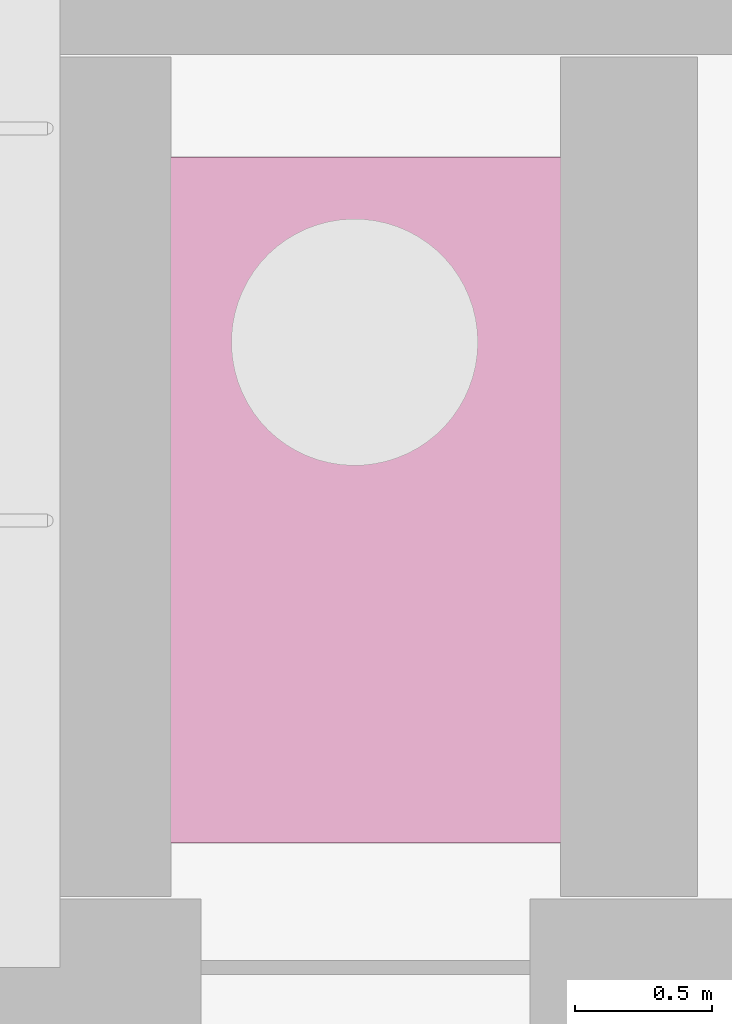
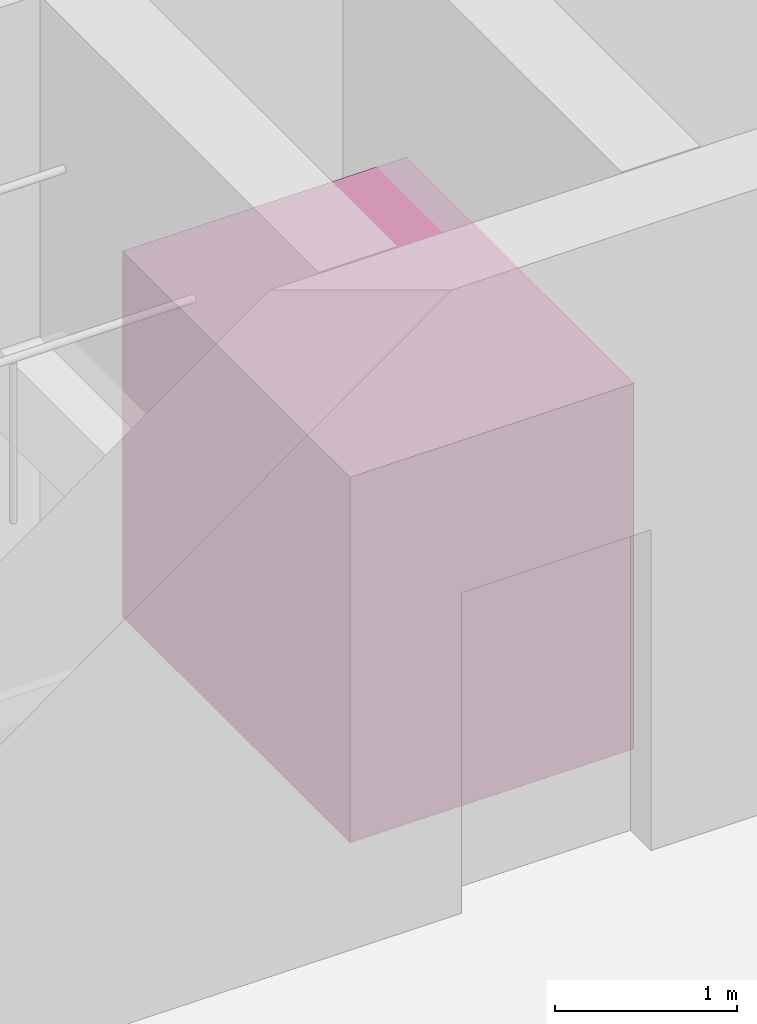
# One storey, part 33 of 33: 1 transport element.
"""IFC4 building model written with IfcOpenShell, lengths in metres."""

import ifcopenshell
import ifcopenshell.guid

model = None  # the IFC model being written
_history = None  # IfcOwnerHistory: only IFC2X3 demands one
_inside = {}  # id of a spatial element -> (the spatial element, [elements in it])
_under = {}  # id of a project, library or spatial element -> (it, [spatial elements below it])
_declared = {}  # id of a project -> (the project, [libraries it declares])
_typed = {}  # id of a type object -> (the type object, [elements of that type])
_made_of = {}  # id of a material, layer set ... -> (it, [elements and type objects made of it])


def new_model(schema):
    """Start an empty IFC model of exactly this schema.

    Asked for "IFC4X3", IfcOpenShell would pick the latest addendum, in which some entities
    have other attributes; the version numbers below select the first issue.
    IFC2X3 requires an IfcOwnerHistory on every rooted entity: one is made here for all.
    """
    global model, _history
    if schema == "IFC4X3":
        model = ifcopenshell.file(schema_version=(4, 3, 0, 0))
    else:
        model = ifcopenshell.file(schema=schema)
    _inside.clear()
    _under.clear()
    _declared.clear()
    _typed.clear()
    _made_of.clear()
    _history = None
    if model.schema == "IFC2X3":
        org = make("IfcOrganization", Name="unknown")
        user = make(
            "IfcPersonAndOrganization",
            ThePerson=make("IfcPerson", FamilyName="unknown"),
            TheOrganization=org,
        )
        app = make(
            "IfcApplication",
            ApplicationDeveloper=org,
            Version="unknown",
            ApplicationFullName="unknown",
            ApplicationIdentifier="unknown",
        )
        _history = make(
            "IfcOwnerHistory",
            OwningUser=user,
            OwningApplication=app,
            ChangeAction="ADDED",
            CreationDate=0,
        )
    return model


def make(cls, **values):
    """One entity of the class cls with the attributes given. An attribute that is None is left unset."""
    return model.create_entity(
        cls, **{name: value for name, value in values.items() if value is not None}
    )


def rooted(cls, **values):
    """An entity with a GlobalId (a new one), such as an element, a storey or a relation."""
    return make(cls, GlobalId=ifcopenshell.guid.new(), OwnerHistory=_history, **values)


def si_unit(unit_type, name, prefix=None):
    """IfcSIUnit, for example si_unit("LENGTHUNIT", "METRE", prefix="MILLI")."""
    return make("IfcSIUnit", UnitType=unit_type, Prefix=prefix, Name=name)


def assignment(units):
    """IfcUnitAssignment: the units of a project."""
    return None if units is None else make("IfcUnitAssignment", Units=units)


def point(xyz):
    """IfcCartesianPoint."""
    return None if xyz is None else make("IfcCartesianPoint", Coordinates=xyz)


def direction(xyz):
    """IfcDirection."""
    return None if xyz is None else make("IfcDirection", DirectionRatios=xyz)


def frame(location, z_axis=None, x_axis=None):
    """IfcAxis2Placement3D, a coordinate frame: its origin and axes. An axis left out is left unset."""
    return make(
        "IfcAxis2Placement3D",
        Location=point(location),
        Axis=direction(z_axis),
        RefDirection=direction(x_axis),
    )


def frame_2d(location, x_axis=None):
    """IfcAxis2Placement2D, a coordinate frame in the plane: its origin and x axis."""
    return make(
        "IfcAxis2Placement2D", Location=point(location), RefDirection=direction(x_axis)
    )


def origin():
    """The frame at (0, 0, 0) with its axes left unset."""
    return frame((0.0, 0.0, 0.0))


def origin_2d():
    """The frame at (0, 0) in the plane with its x axis left unset."""
    return frame_2d((0.0, 0.0))


def place(relative_to, where):
    """IfcLocalPlacement: puts the frame where relative to a parent placement (None: the world)."""
    return make(
        "IfcLocalPlacement", PlacementRelTo=relative_to, RelativePlacement=where
    )


def context(
    kind, dimensions, precision=None, world=None, true_north=None, identifier=None
):
    """IfcGeometricRepresentationContext, for example the 3D "Model" context."""
    return make(
        "IfcGeometricRepresentationContext",
        ContextIdentifier=identifier,
        ContextType=kind,
        CoordinateSpaceDimension=dimensions,
        Precision=precision,
        WorldCoordinateSystem=world,
        TrueNorth=true_north,
    )


def subcontext(parent, identifier, kind, view, scale=None):
    """IfcGeometricRepresentationSubContext, for example "Body" below "Model"."""
    return make(
        "IfcGeometricRepresentationSubContext",
        ContextIdentifier=identifier,
        ContextType=kind,
        ParentContext=parent,
        TargetScale=scale,
        TargetView=view,
    )


def project(units=None, contexts=None):
    """IfcProject with its units and contexts."""
    return rooted(
        "IfcProject",
        Name="project",
        RepresentationContexts=contexts,
        UnitsInContext=assignment(units),
    )


def spatial(cls, under=None, at=None, **own):
    """A site, building, storey or space (cls), placed at a placement, below another one or the project."""
    s = rooted(cls, ObjectPlacement=at, **own)
    if under is not None:
        _under.setdefault(under.id(), (under, []))[1].append(s)
    return s


def profile(cls, at=None, kind="AREA", **sizes):
    """A parametric profile (cls). Its sizes go by their IFC names, for example OverallWidth=200.0."""
    return make(cls, ProfileType=kind, Position=at, **sizes)


def rectangle(**sizes):
    """IfcRectangleProfileDef."""
    return profile("IfcRectangleProfileDef", **sizes)


def extrude(swept, where, along, depth):
    """IfcExtrudedAreaSolid: the profile swept, set in the frame where, extruded along a direction by depth."""
    return make(
        "IfcExtrudedAreaSolid",
        SweptArea=swept,
        Position=where,
        ExtrudedDirection=direction(along),
        Depth=depth,
    )


def shape(context_of_items, identifier, shape_type, items):
    """IfcShapeRepresentation: the items that make up one representation, for example the "Body"."""
    return make(
        "IfcShapeRepresentation",
        ContextOfItems=context_of_items,
        RepresentationIdentifier=identifier,
        RepresentationType=shape_type,
        Items=items,
    )


def material(Name=None, Category=None):
    """IfcMaterial."""
    return make("IfcMaterial", Name=Name, Category=Category)


def made_of(thing, what):
    """Note that an element or type object is made of a material, layer set ...; save() writes the relation."""
    if what is not None:
        _made_of.setdefault(what.id(), (what, []))[1].append(thing)
    return thing


def type_object(cls, material=None, **own):
    """A type object (cls), such as IfcWallType, which elements share."""
    return made_of(rooted(cls, **own), material)


def element(
    cls,
    number,
    at=None,
    inside=None,
    cuts=None,
    type_object=None,
    material=None,
    context=None,
    identifier="Body",
    shape_type=None,
    held_by="IfcProductDefinitionShape",
    body=None,
    shapes=None,
    **own,
):
    """One element of the class cls, such as IfcWall. Its Tag is "e" and its number.

    at: its placement. inside: the storey or other place that contains it. cuts: it is an
    opening in that element (IfcRelVoidsElement). A single representation is given by context,
    identifier, shape_type and body (its items); several are given by shapes. held_by: the class
    of the entity that holds the representations. save() writes the other relations.
    """
    e = rooted(cls, Tag="e%d" % number, ObjectPlacement=at, **own)
    if body is not None:
        shapes = [shape(context, identifier, shape_type, body)]
    if shapes is not None:
        e.Representation = make(held_by, Representations=shapes)
    if inside is not None:
        _inside.setdefault(inside.id(), (inside, []))[1].append(e)
    if cuts is not None:
        rooted(
            "IfcRelVoidsElement", RelatingBuildingElement=cuts, RelatedOpeningElement=e
        )
    if type_object is not None:
        _typed.setdefault(type_object.id(), (type_object, []))[1].append(e)
    return made_of(e, material)


def aggregate(whole, parts):
    """IfcRelAggregates: a whole, such as a stair, and the parts it consists of."""
    return rooted("IfcRelAggregates", RelatingObject=whole, RelatedObjects=parts)


def save(model, path):
    """Write the relations noted so far, then the file.

    IfcRelAggregates (storeys below a building ...), IfcRelContainedInSpatialStructure (elements
    in a storey), IfcRelDefinesByType, IfcRelAssociatesMaterial and IfcRelDeclares: one each for
    every whole, place, type object, material and project.
    """
    for whole, parts in _under.values():
        aggregate(whole, parts)
    for where, things in _inside.values():
        rooted(
            "IfcRelContainedInSpatialStructure",
            RelatedElements=things,
            RelatingStructure=where,
        )
    for kind, things in _typed.values():
        rooted("IfcRelDefinesByType", RelatedObjects=things, RelatingType=kind)
    for what, things in _made_of.values():
        rooted("IfcRelAssociatesMaterial", RelatedObjects=things, RelatingMaterial=what)
    for by, libraries in _declared.values():
        rooted("IfcRelDeclares", RelatingContext=by, RelatedDefinitions=libraries)
    model.write(path)


model = new_model("IFC4")

# Units and contexts
model_context = context("Model", 3, precision=1e-05, world=origin(), true_north=direction((0.0, 1.0)))
body_context = subcontext(model_context, "Body", "Model", "MODEL_VIEW")
ifc_project = project(units=[si_unit("LENGTHUNIT", "METRE"), si_unit("AREAUNIT", "SQUARE_METRE"), si_unit("VOLUMEUNIT", "CUBIC_METRE"), si_unit("PLANEANGLEUNIT", "RADIAN"), si_unit("MASSUNIT", "GRAM", prefix="KILO")], contexts=[model_context])

# Site, building, storey
site_placement = place(None, origin())
site = spatial("IfcSite", under=ifc_project, at=site_placement, CompositionType="ELEMENT")
building_placement = place(site_placement, origin())
building = spatial("IfcBuilding", under=site, at=building_placement, Name="Mithqara Police Headquarters", CompositionType="ELEMENT")
storey_placement = place(building_placement, frame((0.0, 0.0, -4.199951171875)))
storey = spatial("IfcBuildingStorey", under=building, at=storey_placement, Name="B1", CompositionType="ELEMENT", Elevation=-4.199951171875)

# Transport element
ifc_material = material(Name="Steel S355JR", Category="steel")
transport_element_type = type_object("IfcTransportElementType", Name="LIFT CUST 1800X2500", PredefinedType="ELEVATOR", material=ifc_material)
transport_element_placement = place(storey_placement, frame((88.739990234375, 33.52490234375, 0.14990234375), z_axis=(0.0, 0.0, 1.0), x_axis=(1.0, 0.0, 0.0)))
element("IfcTransportElement", 1, at=transport_element_placement, inside=storey, type_object=transport_element_type, Name="Passenger Lift LP-07", PredefinedType="ELEVATOR", context=body_context, shape_type="SweptSolid", body=[
    extrude(rectangle(XDim=1.800048828125, YDim=2.5, at=origin_2d()), origin(), (0.0, 0.0, 1.0), 2.449951171875),
])

save(model, "model.ifc")
